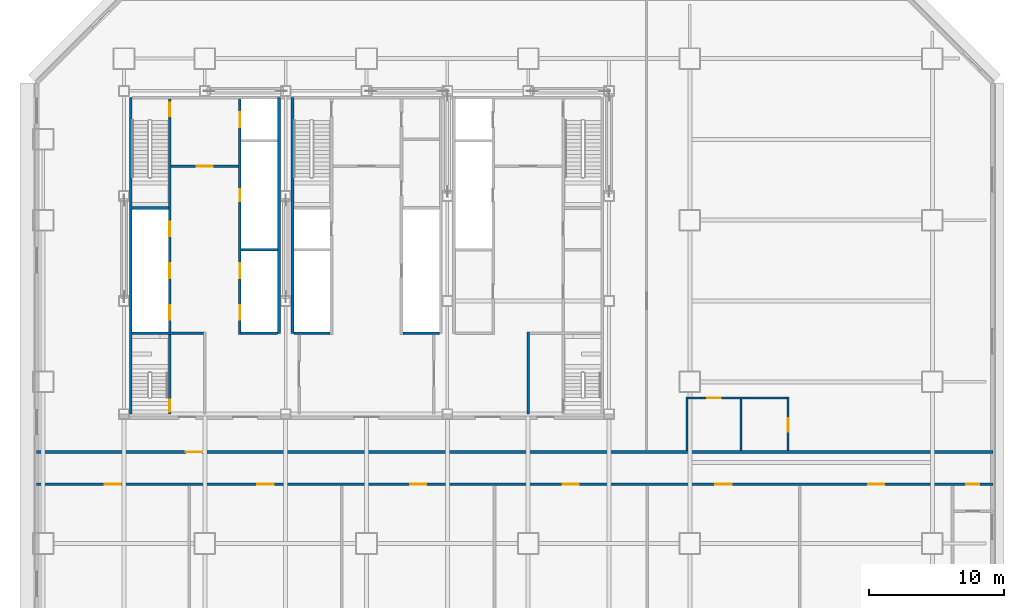
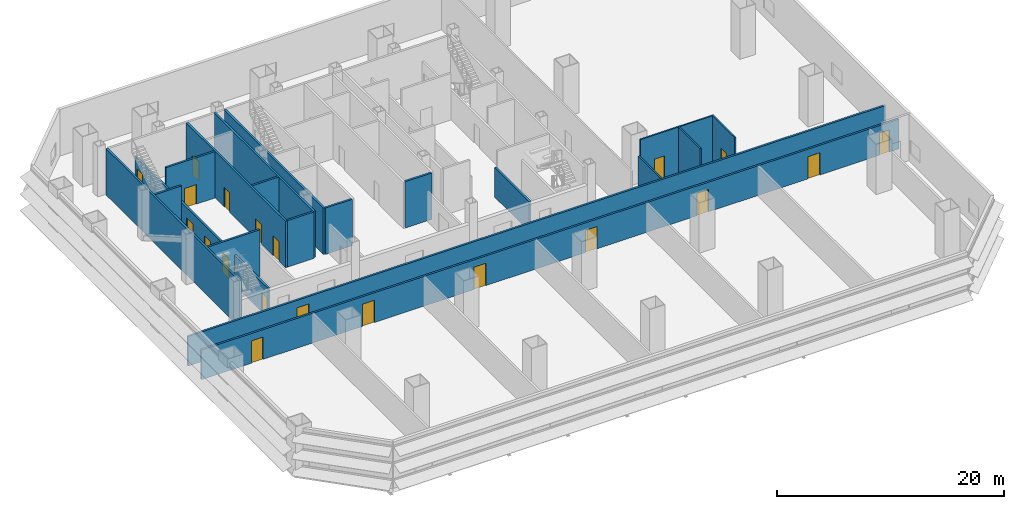
# One storey, part 4 of 10: 20 doors, 19 walls, 20 openings.
"""IFC4 building model written with IfcOpenShell, lengths in metres."""

from ifc_helpers import new_model, si_unit, direction, frame, frame_2d, origin, place, context, subcontext, project, spatial, rectangle, extrude, material, layer, layer_set, type_object, element, fill, save


model = new_model("IFC4")

# Units and contexts
model_context = context("Model", 3, precision=1e-05, world=origin(), true_north=direction((0.0, 1.0)))
body_context = subcontext(model_context, "Body", "Model", "MODEL_VIEW")
ifc_project = project(units=[si_unit("LENGTHUNIT", "METRE"), si_unit("AREAUNIT", "SQUARE_METRE"), si_unit("VOLUMEUNIT", "CUBIC_METRE"), si_unit("PLANEANGLEUNIT", "RADIAN"), si_unit("MASSUNIT", "GRAM", prefix="KILO")], contexts=[model_context])

# Site, building, storey
site_placement = place(None, origin())
site = spatial("IfcSite", under=ifc_project, at=site_placement, CompositionType="ELEMENT")
building_placement = place(site_placement, origin())
building = spatial("IfcBuilding", under=site, at=building_placement, Name="Sorahane Residences", CompositionType="ELEMENT")
storey_placement = place(building_placement, frame((0.0, 0.0, 15.0)))
storey = spatial("IfcBuildingStorey", under=building, at=storey_placement, Name="L01", CompositionType="ELEMENT", Elevation=15.0)

# Walls
ifc_material_1 = material(Name="Concrete C30", Category="concrete")
ifc_layer_1 = layer(ifc_material_1, 0.199951171875)
ifc_layer_set_1 = layer_set([ifc_layer_1], Name="Core face wall 200 EI 180")
wall_type_1 = type_object("IfcWallType", Name="Core face wall 200 EI 180", PredefinedType="SOLIDWALL", material=ifc_layer_set_1)
wall_1_placement = place(storey_placement, frame((6.5, 21.60009765625, 0.0), z_axis=(0.0, 0.0, 1.0), x_axis=(0.0, 1.0, 0.0)))
element("IfcWall", 1, at=wall_1_placement, inside=storey, type_object=wall_type_1, Name="L01 core face wall", PredefinedType="SOLIDWALL", context=body_context, shape_type="SweptSolid", body=[
    extrude(rectangle(XDim=23.5, YDim=0.199951171875, at=frame_2d((11.75, 0.0))), origin(), (0.0, 0.0, 1.0), 5.0),
])
for number, where, z_axis, x_axis, name in (
    (2, (17.5, 27.60009765625, 0.0), (0.0, 0.0, 1.0), (0.0, 1.0, 0.0), "L01 core face wall"),
    (3, (18.5, 27.60009765625, 0.0), (0.0, 0.0, 1.0), (0.0, 1.0, 0.0), "L01 core face wall"),
):
    element("IfcWall", number, at=place(storey_placement, frame(where, z_axis=z_axis, x_axis=x_axis)), inside=storey, type_object=wall_type_1, Name=name, PredefinedType="SOLIDWALL", context=body_context, shape_type="SweptSolid", body=[
        extrude(rectangle(XDim=17.5, YDim=0.199951171875, at=frame_2d((8.75, 0.0))), origin(), (0.0, 0.0, 1.0), 5.0),
    ])

# Wall, opening, door
ifc_material_2 = material(Name="Concrete blockwork C20 wall", Category="masonry")
ifc_layer_2 = layer(ifc_material_2, 0.199951171875)
ifc_layer_set_2 = layer_set([ifc_layer_2], Name="Corridor wall 200 EI 120")
wall_type_2 = type_object("IfcWallType", Name="Corridor wall 200 EI 120", PredefinedType="SOLIDWALL", material=ifc_layer_set_2)
wall_2_placement = place(storey_placement, frame((-0.5, 18.800048828125, 0.0), z_axis=(0.0, 0.0, 1.0), x_axis=(1.0, 0.0, 0.0)))
wall_2 = element("IfcWall", 4, at=wall_2_placement, inside=storey, type_object=wall_type_2, Name="L01 corridor wall", PredefinedType="SOLIDWALL", context=body_context, shape_type="SweptSolid", body=[
    extrude(rectangle(XDim=71.0, YDim=0.199951171875, at=frame_2d((35.5, 0.0))), origin(), (0.0, 0.0, 1.0), 3.199951171875),
])
opening_1_placement = place(wall_2_placement, frame((11.10009765625, 0.0, 0.0)))
opening_1 = element("IfcOpeningElement", 5, at=opening_1_placement, cuts=wall_2, Name="Opening L01-12", PredefinedType="OPENING", context=body_context, shape_type="SweptSolid", body=[
    extrude(rectangle(XDim=1.199951171875, YDim=2.39990234375, at=frame_2d((0.60009765625, 1.199951171875))), frame((0.0, 0.10986328125, 0.0), z_axis=(0.0, -1.0, 0.0), x_axis=(1.0, 0.0, 0.0)), (0.0, 0.0, 1.0), 0.219970703125),
])
ifc_material_3 = material(Name="Steel", Category="steel")
door_type_1 = type_object("IfcDoorType", Name="Lobby door 1200x2400 FD60", OperationType="NOTDEFINED", PredefinedType="DOOR", material=ifc_material_3)
door_1_placement = place(opening_1_placement, frame((1.199951171875, 0.0, 0.0), z_axis=(0.0, 0.0, 1.0), x_axis=(-1.0, 0.0, 0.0)))
door_1 = element("IfcDoor", 6, at=door_1_placement, inside=storey, type_object=door_type_1, Name="Lobby door L01-12", OperationType="SINGLE_SWING_LEFT", OverallHeight=2.39990234375, OverallWidth=1.199951171875, PredefinedType="DOOR", context=body_context, shape_type="SweptSolid", body=[
    extrude(rectangle(XDim=1.199951171875, YDim=2.39990234375, at=frame_2d((0.60009765625, 1.199951171875))), frame((0.0, 0.02490234375, 0.0), z_axis=(0.0, -1.0, 0.0), x_axis=(1.0, 0.0, 0.0)), (0.0, 0.0, 1.0), 0.050048828125),
])
fill(opening_1, door_1)

# Wall, openings, doors
ifc_material_4 = material(Name="Concrete blockwork C20 wall", Category="masonry")
ifc_layer_3 = layer(ifc_material_4, 0.199951171875)
ifc_layer_set_3 = layer_set([ifc_layer_3], Name="Fire wall 200 EI 120")
wall_type_3 = type_object("IfcWallType", Name="Fire wall 200 EI 120", PredefinedType="SOLIDWALL", material=ifc_layer_set_3)
wall_3_placement = place(storey_placement, frame((-0.5, 16.39990234375, 0.0), z_axis=(0.0, 0.0, 1.0), x_axis=(1.0, 0.0, 0.0)))
wall_3 = element("IfcWall", 7, at=wall_3_placement, inside=storey, type_object=wall_type_3, Name="L01 fire wall", PredefinedType="SOLIDWALL", context=body_context, shape_type="SweptSolid", body=[
    extrude(rectangle(XDim=71.0, YDim=0.199951171875, at=frame_2d((35.5, 0.0))), origin(), (0.0, 0.0, 1.0), 3.199951171875),
])
opening_2_placement = place(wall_3_placement, frame((5.066650390625, 0.0, 0.0)))
opening_2 = element("IfcOpeningElement", 8, at=opening_2_placement, cuts=wall_3, Name="Opening L01-04", PredefinedType="OPENING", context=body_context, shape_type="SweptSolid", body=[
    extrude(rectangle(XDim=1.199951171875, YDim=2.39990234375, at=frame_2d((0.60009765625, 1.199951171875))), frame((0.0, 0.10986328125, 0.0), z_axis=(0.0, -1.0, 0.0), x_axis=(1.0, 0.0, 0.0)), (0.0, 0.0, 1.0), 0.219970703125),
])
opening_3_placement = place(wall_3_placement, frame((16.39990234375, 0.0, 0.0)))
opening_3 = element("IfcOpeningElement", 9, at=opening_3_placement, cuts=wall_3, Name="Opening L01-05", PredefinedType="OPENING", context=body_context, shape_type="SweptSolid", body=[
    extrude(rectangle(XDim=1.199951171875, YDim=2.39990234375, at=frame_2d((0.60009765625, 1.199951171875))), frame((0.0, 0.10986328125, 0.0), z_axis=(0.0, -1.0, 0.0), x_axis=(1.0, 0.0, 0.0)), (0.0, 0.0, 1.0), 0.219970703125),
])
opening_4_placement = place(wall_3_placement, frame((27.7333984375, 0.0, 0.0)))
opening_4 = element("IfcOpeningElement", 10, at=opening_4_placement, cuts=wall_3, Name="Opening L01-06", PredefinedType="OPENING", context=body_context, shape_type="SweptSolid", body=[
    extrude(rectangle(XDim=1.199951171875, YDim=2.39990234375, at=frame_2d((0.60009765625, 1.199951171875))), frame((0.0, 0.10986328125, 0.0), z_axis=(0.0, -1.0, 0.0), x_axis=(1.0, 0.0, 0.0)), (0.0, 0.0, 1.0), 0.219970703125),
])
opening_5_placement = place(wall_3_placement, frame((39.066650390625, 0.0, 0.0)))
opening_5 = element("IfcOpeningElement", 11, at=opening_5_placement, cuts=wall_3, Name="Opening L01-07", PredefinedType="OPENING", context=body_context, shape_type="SweptSolid", body=[
    extrude(rectangle(XDim=1.199951171875, YDim=2.39990234375, at=frame_2d((0.60009765625, 1.199951171875))), frame((0.0, 0.10986328125, 0.0), z_axis=(0.0, -1.0, 0.0), x_axis=(1.0, 0.0, 0.0)), (0.0, 0.0, 1.0), 0.219970703125),
])
opening_6_placement = place(wall_3_placement, frame((50.39990234375, 0.0, 0.0)))
opening_6 = element("IfcOpeningElement", 12, at=opening_6_placement, cuts=wall_3, Name="Opening L01-08", PredefinedType="OPENING", context=body_context, shape_type="SweptSolid", body=[
    extrude(rectangle(XDim=1.199951171875, YDim=2.39990234375, at=frame_2d((0.60009765625, 1.199951171875))), frame((0.0, 0.10986328125, 0.0), z_axis=(0.0, -1.0, 0.0), x_axis=(1.0, 0.0, 0.0)), (0.0, 0.0, 1.0), 0.219970703125),
])
opening_7_placement = place(wall_3_placement, frame((61.7333984375, 0.0, 0.0)))
opening_7 = element("IfcOpeningElement", 13, at=opening_7_placement, cuts=wall_3, Name="Opening L01-09", PredefinedType="OPENING", context=body_context, shape_type="SweptSolid", body=[
    extrude(rectangle(XDim=1.199951171875, YDim=2.39990234375, at=frame_2d((0.60009765625, 1.199951171875))), frame((0.0, 0.10986328125, 0.0), z_axis=(0.0, -1.0, 0.0), x_axis=(1.0, 0.0, 0.0)), (0.0, 0.0, 1.0), 0.219970703125),
])
opening_8_placement = place(wall_3_placement, frame((69.0, 0.0, 0.0)))
opening_8 = element("IfcOpeningElement", 14, at=opening_8_placement, cuts=wall_3, Name="Opening L01-10", PredefinedType="OPENING", context=body_context, shape_type="SweptSolid", body=[
    extrude(rectangle(XDim=1.0, YDim=2.39990234375, at=frame_2d((0.5, 1.199951171875))), frame((0.0, 0.10986328125, 0.0), z_axis=(0.0, -1.0, 0.0), x_axis=(1.0, 0.0, 0.0)), (0.0, 0.0, 1.0), 0.219970703125),
])
ifc_material_5 = material(Name="Steel", Category="steel")
door_type_2 = type_object("IfcDoorType", Name="Fire door 1000x2400 FD60", OperationType="NOTDEFINED", PredefinedType="DOOR", material=ifc_material_5)
door_2_placement = place(opening_8_placement, origin())
door_2 = element("IfcDoor", 15, at=door_2_placement, inside=storey, type_object=door_type_2, Name="Fire door L01-10", OperationType="SINGLE_SWING_RIGHT", OverallHeight=2.39990234375, OverallWidth=1.0, PredefinedType="DOOR", context=body_context, shape_type="SweptSolid", body=[
    extrude(rectangle(XDim=1.0, YDim=2.39990234375, at=frame_2d((0.5, 1.199951171875))), frame((0.0, 0.02490234375, 0.0), z_axis=(0.0, -1.0, 0.0), x_axis=(1.0, 0.0, 0.0)), (0.0, 0.0, 1.0), 0.050048828125),
])
fill(opening_8, door_2)
ifc_material_6 = material(Name="Steel", Category="steel")
door_type_3 = type_object("IfcDoorType", Name="Plant door 1200x2400 FD60", OperationType="NOTDEFINED", PredefinedType="DOOR", material=ifc_material_6)
door_3_placement = place(opening_2_placement, frame((1.199951171875, 0.0, 0.0), z_axis=(0.0, 0.0, 1.0), x_axis=(-1.0, 0.0, 0.0)))
door_3 = element("IfcDoor", 16, at=door_3_placement, inside=storey, type_object=door_type_3, Name="Plant door L01-04", OperationType="SINGLE_SWING_LEFT", OverallHeight=2.39990234375, OverallWidth=1.199951171875, PredefinedType="DOOR", context=body_context, shape_type="SweptSolid", body=[
    extrude(rectangle(XDim=1.199951171875, YDim=2.39990234375, at=frame_2d((0.60009765625, 1.199951171875))), frame((0.0, 0.02490234375, 0.0), z_axis=(0.0, -1.0, 0.0), x_axis=(1.0, 0.0, 0.0)), (0.0, 0.0, 1.0), 0.050048828125),
])
fill(opening_2, door_3)
door_4_placement = place(opening_3_placement, origin())
door_4 = element("IfcDoor", 17, at=door_4_placement, inside=storey, type_object=door_type_3, Name="Plant door L01-05", OperationType="SINGLE_SWING_LEFT", OverallHeight=2.39990234375, OverallWidth=1.199951171875, PredefinedType="DOOR", context=body_context, shape_type="SweptSolid", body=[
    extrude(rectangle(XDim=1.199951171875, YDim=2.39990234375, at=frame_2d((0.60009765625, 1.199951171875))), frame((0.0, 0.02490234375, 0.0), z_axis=(0.0, -1.0, 0.0), x_axis=(1.0, 0.0, 0.0)), (0.0, 0.0, 1.0), 0.050048828125),
])
fill(opening_3, door_4)
door_5_placement = place(opening_4_placement, origin())
door_5 = element("IfcDoor", 18, at=door_5_placement, inside=storey, type_object=door_type_3, Name="Plant door L01-06", OperationType="SINGLE_SWING_RIGHT", OverallHeight=2.39990234375, OverallWidth=1.199951171875, PredefinedType="DOOR", context=body_context, shape_type="SweptSolid", body=[
    extrude(rectangle(XDim=1.199951171875, YDim=2.39990234375, at=frame_2d((0.60009765625, 1.199951171875))), frame((0.0, 0.02490234375, 0.0), z_axis=(0.0, -1.0, 0.0), x_axis=(1.0, 0.0, 0.0)), (0.0, 0.0, 1.0), 0.050048828125),
])
fill(opening_4, door_5)
door_6_placement = place(opening_5_placement, frame((1.199951171875, 0.0, 0.0), z_axis=(0.0, 0.0, 1.0), x_axis=(-1.0, 0.0, 0.0)))
door_6 = element("IfcDoor", 19, at=door_6_placement, inside=storey, type_object=door_type_3, Name="Plant door L01-07", OperationType="SINGLE_SWING_RIGHT", OverallHeight=2.39990234375, OverallWidth=1.199951171875, PredefinedType="DOOR", context=body_context, shape_type="SweptSolid", body=[
    extrude(rectangle(XDim=1.199951171875, YDim=2.39990234375, at=frame_2d((0.60009765625, 1.199951171875))), frame((0.0, 0.02490234375, 0.0), z_axis=(0.0, -1.0, 0.0), x_axis=(1.0, 0.0, 0.0)), (0.0, 0.0, 1.0), 0.050048828125),
])
fill(opening_5, door_6)
door_7_placement = place(opening_6_placement, frame((1.199951171875, 0.0, 0.0), z_axis=(0.0, 0.0, 1.0), x_axis=(-1.0, 0.0, 0.0)))
door_7 = element("IfcDoor", 20, at=door_7_placement, inside=storey, type_object=door_type_3, Name="Plant door L01-08", OperationType="SINGLE_SWING_LEFT", OverallHeight=2.39990234375, OverallWidth=1.199951171875, PredefinedType="DOOR", context=body_context, shape_type="SweptSolid", body=[
    extrude(rectangle(XDim=1.199951171875, YDim=2.39990234375, at=frame_2d((0.60009765625, 1.199951171875))), frame((0.0, 0.02490234375, 0.0), z_axis=(0.0, -1.0, 0.0), x_axis=(1.0, 0.0, 0.0)), (0.0, 0.0, 1.0), 0.050048828125),
])
fill(opening_6, door_7)
door_8_placement = place(opening_7_placement, origin())
door_8 = element("IfcDoor", 21, at=door_8_placement, inside=storey, type_object=door_type_3, Name="Plant door L01-09", OperationType="SINGLE_SWING_LEFT", OverallHeight=2.39990234375, OverallWidth=1.199951171875, PredefinedType="DOOR", context=body_context, shape_type="SweptSolid", body=[
    extrude(rectangle(XDim=1.199951171875, YDim=2.39990234375, at=frame_2d((0.60009765625, 1.199951171875))), frame((0.0, 0.02490234375, 0.0), z_axis=(0.0, -1.0, 0.0), x_axis=(1.0, 0.0, 0.0)), (0.0, 0.0, 1.0), 0.050048828125),
])
fill(opening_7, door_8)

# Wall
ifc_material_7 = material(Name="Concrete C30", Category="concrete")
ifc_layer_4 = layer(ifc_material_7, 0.199951171875)
ifc_layer_set_4 = layer_set([ifc_layer_4], Name="Front room wall 200 EI 120")
wall_type_4 = type_object("IfcWallType", Name="Front room wall 200 EI 120", PredefinedType="PARTITIONING", material=ifc_layer_set_4)
wall_4_placement = place(storey_placement, frame((36.0, 21.60009765625, 0.0), z_axis=(0.0, 0.0, 1.0), x_axis=(0.0, 1.0, 0.0)))
element("IfcWall", 22, at=wall_4_placement, inside=storey, type_object=wall_type_4, Name="L01 front room wall", PredefinedType="PARTITIONING", context=body_context, shape_type="SweptSolid", body=[
    extrude(rectangle(XDim=6.099853515625, YDim=0.199951171875, at=frame_2d((3.0498046875, 0.0))), origin(), (0.0, 0.0, 1.0), 3.199951171875),
])

# Wall, opening, door
wall_5_placement = place(storey_placement, frame((9.5, 40.0, 0.0), z_axis=(0.0, 0.0, 1.0), x_axis=(1.0, 0.0, 0.0)))
wall_5 = element("IfcWall", 23, at=wall_5_placement, inside=storey, type_object=wall_type_4, Name="L01 front room wall", PredefinedType="PARTITIONING", context=body_context, shape_type="SweptSolid", body=[
    extrude(rectangle(XDim=5.0, YDim=0.199951171875, at=frame_2d((2.5, 0.0))), origin(), (0.0, 0.0, 1.0), 5.0),
])
opening_9_placement = place(wall_5_placement, frame((1.89990234375, 0.0, 0.0)))
opening_9 = element("IfcOpeningElement", 24, at=opening_9_placement, cuts=wall_5, Name="Opening L01-C08", PredefinedType="OPENING", context=body_context, shape_type="SweptSolid", body=[
    extrude(rectangle(XDim=1.199951171875, YDim=2.10009765625, at=frame_2d((0.60009765625, 1.050048828125))), frame((0.0, 0.10986328125, 0.0), z_axis=(0.0, -1.0, 0.0), x_axis=(1.0, 0.0, 0.0)), (0.0, 0.0, 1.0), 0.219970703125),
])
ifc_material_8 = material(Name="Steel", Category="steel")
door_type_4 = type_object("IfcDoorType", Name="Front room door 1200x2100 FD120", OperationType="NOTDEFINED", PredefinedType="DOOR", material=ifc_material_8)
door_9_placement = place(opening_9_placement, frame((1.199951171875, 0.0, 0.0), z_axis=(0.0, 0.0, 1.0), x_axis=(-1.0, 0.0, 0.0)))
door_9 = element("IfcDoor", 25, at=door_9_placement, inside=storey, type_object=door_type_4, Name="Front room door Firefighting lobby FF1 front room L01", OperationType="DOUBLE_DOOR_SINGLE_SWING", OverallHeight=2.10009765625, OverallWidth=1.199951171875, PredefinedType="DOOR", context=body_context, shape_type="SweptSolid", body=[
    extrude(rectangle(XDim=1.199951171875, YDim=2.10009765625, at=frame_2d((0.60009765625, 1.050048828125))), frame((0.0, 0.02490234375, 0.0), z_axis=(0.0, -1.0, 0.0), x_axis=(1.0, 0.0, 0.0)), (0.0, 0.0, 1.0), 0.050048828125),
])
fill(opening_9, door_9)

# Wall, openings, doors
ifc_material_9 = material(Name="Concrete C30", Category="concrete")
ifc_layer_5 = layer(ifc_material_9, 0.199951171875)
ifc_layer_set_5 = layer_set([ifc_layer_5], Name="Lift shaft wall 200 EI 120")
wall_type_5 = type_object("IfcWallType", Name="Lift shaft wall 200 EI 120", PredefinedType="SOLIDWALL", material=ifc_layer_set_5)
wall_6_placement = place(storey_placement, frame((14.60009765625, 27.5, 0.0), z_axis=(0.0, 0.0, 1.0), x_axis=(0.0, 1.0, 0.0)))
wall_6 = element("IfcWall", 26, at=wall_6_placement, inside=storey, type_object=wall_type_5, Name="L01 lift shaft wall", PredefinedType="SOLIDWALL", context=body_context, shape_type="SweptSolid", body=[
    extrude(rectangle(XDim=17.5, YDim=0.199951171875, at=frame_2d((8.75, 0.0))), origin(), (0.0, 0.0, 1.0), 5.0),
])
opening_10_placement = place(wall_6_placement, frame((1.10009765625, 0.0, 0.0)))
opening_10 = element("IfcOpeningElement", 27, at=opening_10_placement, cuts=wall_6, Name="Opening L01-C12", PredefinedType="OPENING", context=body_context, shape_type="SweptSolid", body=[
    extrude(rectangle(XDim=1.10009765625, YDim=2.10009765625, at=frame_2d((0.550048828125, 1.050048828125))), frame((0.0, 0.10986328125, 0.0), z_axis=(0.0, -1.0, 0.0), x_axis=(1.0, 0.0, 0.0)), (0.0, 0.0, 1.0), 0.219970703125),
])
opening_11_placement = place(wall_6_placement, frame((4.199951171875, 0.0, 0.0)))
opening_11 = element("IfcOpeningElement", 28, at=opening_11_placement, cuts=wall_6, Name="Opening L01-C13", PredefinedType="OPENING", context=body_context, shape_type="SweptSolid", body=[
    extrude(rectangle(XDim=1.10009765625, YDim=2.10009765625, at=frame_2d((0.550048828125, 1.050048828125))), frame((0.0, 0.10986328125, 0.0), z_axis=(0.0, -1.0, 0.0), x_axis=(1.0, 0.0, 0.0)), (0.0, 0.0, 1.0), 0.219970703125),
])
opening_12_placement = place(wall_6_placement, frame((15.39990234375, 0.0, 0.0)))
opening_12 = element("IfcOpeningElement", 29, at=opening_12_placement, cuts=wall_6, Name="Opening L01-C14", PredefinedType="OPENING", context=body_context, shape_type="SweptSolid", body=[
    extrude(rectangle(XDim=1.10009765625, YDim=2.10009765625, at=frame_2d((0.550048828125, 1.050048828125))), frame((0.0, 0.10986328125, 0.0), z_axis=(0.0, -1.0, 0.0), x_axis=(1.0, 0.0, 0.0)), (0.0, 0.0, 1.0), 0.219970703125),
])
opening_13_placement = place(wall_6_placement, frame((9.89990234375, 0.0, 0.0)))
opening_13 = element("IfcOpeningElement", 30, at=opening_13_placement, cuts=wall_6, Name="Opening L01-C26", PredefinedType="OPENING", context=body_context, shape_type="SweptSolid", body=[
    extrude(rectangle(XDim=0.89990234375, YDim=2.10009765625, at=frame_2d((0.449951171875, 1.050048828125))), frame((0.0, 0.10986328125, 0.0), z_axis=(0.0, -1.0, 0.0), x_axis=(1.0, 0.0, 0.0)), (0.0, 0.0, 1.0), 0.219970703125),
])
ifc_material_10 = material(Name="Aluminium and stainless steel", Category="steel")
door_type_5 = type_object("IfcDoorType", Name="Lift landing door 1100x2100 E 60", OperationType="NOTDEFINED", PredefinedType="DOOR", material=ifc_material_10)
door_10_placement = place(opening_10_placement, origin())
door_10 = element("IfcDoor", 31, at=door_10_placement, inside=storey, type_object=door_type_5, Name="Lift landing door LR4 L01", OperationType="DOUBLE_DOOR_SLIDING", OverallHeight=2.10009765625, OverallWidth=1.10009765625, PredefinedType="DOOR", context=body_context, shape_type="SweptSolid", body=[
    extrude(rectangle(XDim=1.10009765625, YDim=2.10009765625, at=frame_2d((0.550048828125, 1.050048828125))), frame((0.0, 0.02490234375, 0.0), z_axis=(0.0, -1.0, 0.0), x_axis=(1.0, 0.0, 0.0)), (0.0, 0.0, 1.0), 0.050048828125),
])
fill(opening_10, door_10)
door_11_placement = place(opening_11_placement, origin())
door_11 = element("IfcDoor", 32, at=door_11_placement, inside=storey, type_object=door_type_5, Name="Lift landing door LR5 L01", OperationType="DOUBLE_DOOR_SLIDING", OverallHeight=2.10009765625, OverallWidth=1.10009765625, PredefinedType="DOOR", context=body_context, shape_type="SweptSolid", body=[
    extrude(rectangle(XDim=1.10009765625, YDim=2.10009765625, at=frame_2d((0.550048828125, 1.050048828125))), frame((0.0, 0.02490234375, 0.0), z_axis=(0.0, -1.0, 0.0), x_axis=(1.0, 0.0, 0.0)), (0.0, 0.0, 1.0), 0.050048828125),
])
fill(opening_11, door_11)
door_12_placement = place(opening_12_placement, origin())
door_12 = element("IfcDoor", 33, at=door_12_placement, inside=storey, type_object=door_type_5, Name="Lift landing door FF1 L01", OperationType="DOUBLE_DOOR_SLIDING", OverallHeight=2.10009765625, OverallWidth=1.10009765625, PredefinedType="DOOR", context=body_context, shape_type="SweptSolid", body=[
    extrude(rectangle(XDim=1.10009765625, YDim=2.10009765625, at=frame_2d((0.550048828125, 1.050048828125))), frame((0.0, 0.02490234375, 0.0), z_axis=(0.0, -1.0, 0.0), x_axis=(1.0, 0.0, 0.0)), (0.0, 0.0, 1.0), 0.050048828125),
])
fill(opening_12, door_12)
ifc_material_11 = material(Name="Steel", Category="steel")
door_type_6 = type_object("IfcDoorType", Name="Riser door 900x2100 FD120", OperationType="NOTDEFINED", PredefinedType="DOOR", material=ifc_material_11)
door_13_placement = place(opening_13_placement, origin())
door_13 = element("IfcDoor", 34, at=door_13_placement, inside=storey, type_object=door_type_6, Name="Riser door R1 L01", OperationType="SINGLE_SWING_LEFT", OverallHeight=2.10009765625, OverallWidth=0.89990234375, PredefinedType="DOOR", context=body_context, shape_type="SweptSolid", body=[
    extrude(rectangle(XDim=0.89990234375, YDim=2.10009765625, at=frame_2d((0.449951171875, 1.050048828125))), frame((0.0, 0.02490234375, 0.0), z_axis=(0.0, -1.0, 0.0), x_axis=(1.0, 0.0, 0.0)), (0.0, 0.0, 1.0), 0.050048828125),
])
fill(opening_13, door_13)

# Walls
for number, where, z_axis, x_axis, name in (
    (35, (14.699951171875, 27.60009765625, 0.0), (0.0, 0.0, 1.0), (1.0, 0.0, 0.0), "L01 lift shaft wall"),
    (36, (18.60009765625, 27.60009765625, 0.0), (0.0, 0.0, 1.0), (1.0, 0.0, 0.0), "L01 lift shaft wall"),
    (37, (14.699951171875, 33.800048828125, 0.0), (0.0, 0.0, 1.0), (1.0, 0.0, 0.0), "L01 lift shaft wall"),
):
    element("IfcWall", number, at=place(storey_placement, frame(where, z_axis=z_axis, x_axis=x_axis)), inside=storey, type_object=wall_type_5, Name=name, PredefinedType="SOLIDWALL", context=body_context, shape_type="SweptSolid", body=[
        extrude(rectangle(XDim=2.699951171875, YDim=0.199951171875, at=frame_2d((1.35009765625, 0.0))), origin(), (0.0, 0.0, 1.0), 5.0),
    ])
ifc_material_12 = material(Name="Gypsum board partition on steel studs", Category="steel")
ifc_layer_6 = layer(ifc_material_12, 0.14990234375)
ifc_layer_set_6 = layer_set([ifc_layer_6], Name="Partition 150 EI 90")
wall_type_6 = type_object("IfcWallType", Name="Partition 150 EI 90", PredefinedType="PARTITIONING", material=ifc_layer_set_6)
wall_7_placement = place(storey_placement, frame((47.800048828125, 18.89990234375, 0.0), z_axis=(0.0, 0.0, 1.0), x_axis=(0.0, 1.0, 0.0)))
element("IfcWall", 38, at=wall_7_placement, inside=storey, type_object=wall_type_6, Name="L01 partition", PredefinedType="PARTITIONING", context=body_context, shape_type="SweptSolid", body=[
    extrude(rectangle(XDim=3.97509765625, YDim=0.14990234375, at=frame_2d((1.987548828125, 0.0))), origin(), (0.0, 0.0, 1.0), 3.199951171875),
])

# Wall, opening, door
wall_8_placement = place(storey_placement, frame((55.300048828125, 18.89990234375, 0.0), z_axis=(0.0, 0.0, 1.0), x_axis=(0.0, 1.0, 0.0)))
wall_8 = element("IfcWall", 39, at=wall_8_placement, inside=storey, type_object=wall_type_6, Name="L01 partition", PredefinedType="PARTITIONING", context=body_context, shape_type="SweptSolid", body=[
    extrude(rectangle(XDim=3.97509765625, YDim=0.14990234375, at=frame_2d((1.987548828125, 0.0))), origin(), (0.0, 0.0, 1.0), 5.0),
])
opening_14_placement = place(wall_8_placement, frame((1.39990234375, 0.0, 0.0)))
opening_14 = element("IfcOpeningElement", 40, at=opening_14_placement, cuts=wall_8, Name="Opening L01-02", PredefinedType="OPENING", context=body_context, shape_type="SweptSolid", body=[
    extrude(rectangle(XDim=1.0, YDim=2.39990234375, at=frame_2d((0.5, 1.199951171875))), frame((0.0, 0.0849609375, 0.0), z_axis=(0.0, -1.0, 0.0), x_axis=(1.0, 0.0, 0.0)), (0.0, 0.0, 1.0), 0.169921875),
])
ifc_material_13 = material(Name="Timber veneered fire door", Category="wood")
door_type_7 = type_object("IfcDoorType", Name="Room door 1000x2400 FD30", OperationType="NOTDEFINED", PredefinedType="DOOR", material=ifc_material_13)
door_14_placement = place(opening_14_placement, origin())
door_14 = element("IfcDoor", 41, at=door_14_placement, inside=storey, type_object=door_type_7, Name="Room door L01-02", OperationType="SINGLE_SWING_RIGHT", OverallHeight=2.39990234375, OverallWidth=1.0, PredefinedType="DOOR", context=body_context, shape_type="SweptSolid", body=[
    extrude(rectangle(XDim=1.0, YDim=2.39990234375, at=frame_2d((0.5, 1.199951171875))), frame((0.0, 0.02490234375, 0.0), z_axis=(0.0, -1.0, 0.0), x_axis=(1.0, 0.0, 0.0)), (0.0, 0.0, 1.0), 0.050048828125),
])
fill(opening_14, door_14)

wall_9_placement = place(storey_placement, frame((47.875, 22.800048828125, 0.0), z_axis=(0.0, 0.0, 1.0), x_axis=(1.0, 0.0, 0.0)))
wall_9 = element("IfcWall", 42, at=wall_9_placement, inside=storey, type_object=wall_type_6, Name="L01 partition", PredefinedType="PARTITIONING", context=body_context, shape_type="SweptSolid", body=[
    extrude(rectangle(XDim=7.35009765625, YDim=0.14990234375, at=frame_2d((3.675048828125, 0.0))), origin(), (0.0, 0.0, 1.0), 5.0),
])
opening_15_placement = place(wall_9_placement, frame((1.425048828125, 0.0, 0.0)))
opening_15 = element("IfcOpeningElement", 43, at=opening_15_placement, cuts=wall_9, Name="Opening L01-01", PredefinedType="OPENING", context=body_context, shape_type="SweptSolid", body=[
    extrude(rectangle(XDim=1.0, YDim=2.39990234375, at=frame_2d((0.5, 1.199951171875))), frame((0.0, 0.0849609375, 0.0), z_axis=(0.0, -1.0, 0.0), x_axis=(1.0, 0.0, 0.0)), (0.0, 0.0, 1.0), 0.169921875),
])
door_15_placement = place(opening_15_placement, origin())
door_15 = element("IfcDoor", 44, at=door_15_placement, inside=storey, type_object=door_type_7, Name="Room door L01-01", OperationType="SINGLE_SWING_LEFT", OverallHeight=2.39990234375, OverallWidth=1.0, PredefinedType="DOOR", context=body_context, shape_type="SweptSolid", body=[
    extrude(rectangle(XDim=1.0, YDim=2.39990234375, at=frame_2d((0.5, 1.199951171875))), frame((0.0, 0.02490234375, 0.0), z_axis=(0.0, -1.0, 0.0), x_axis=(1.0, 0.0, 0.0)), (0.0, 0.0, 1.0), 0.050048828125),
])
fill(opening_15, door_15)

# Wall
ifc_material_14 = material(Name="Concrete C30", Category="concrete")
ifc_layer_7 = layer(ifc_material_14, 0.199951171875)
ifc_layer_set_7 = layer_set([ifc_layer_7], Name="Riser shaft wall 200 EI 120")
wall_type_7 = type_object("IfcWallType", Name="Riser shaft wall 200 EI 120", PredefinedType="SOLIDWALL", material=ifc_layer_set_7)
wall_10_placement = place(storey_placement, frame((26.699951171875, 27.60009765625, 0.0), z_axis=(0.0, 0.0, 1.0), x_axis=(1.0, 0.0, 0.0)))
element("IfcWall", 45, at=wall_10_placement, inside=storey, type_object=wall_type_7, Name="L01 riser wall", PredefinedType="SOLIDWALL", context=body_context, shape_type="SweptSolid", body=[
    extrude(rectangle(XDim=2.699951171875, YDim=0.199951171875, at=frame_2d((1.35009765625, 0.0))), origin(), (0.0, 0.0, 1.0), 5.0),
])

# Wall, openings, doors
ifc_material_15 = material(Name="Concrete C30", Category="concrete")
ifc_layer_8 = layer(ifc_material_15, 0.199951171875)
ifc_layer_set_8 = layer_set([ifc_layer_8], Name="Stair enclosure wall 200 EI 120")
wall_type_8 = type_object("IfcWallType", Name="Stair enclosure wall 200 EI 120", PredefinedType="SOLIDWALL", material=ifc_layer_set_8)
wall_11_placement = place(storey_placement, frame((9.39990234375, 21.60009765625, 0.0), z_axis=(0.0, 0.0, 1.0), x_axis=(0.0, 1.0, 0.0)))
wall_11 = element("IfcWall", 46, at=wall_11_placement, inside=storey, type_object=wall_type_8, Name="L01 stair enclosure wall", PredefinedType="SOLIDWALL", context=body_context, shape_type="SweptSolid", body=[
    extrude(rectangle(XDim=23.39990234375, YDim=0.199951171875, at=frame_2d((11.699951171875, 0.0))), origin(), (0.0, 0.0, 1.0), 3.199951171875),
])
opening_16_placement = place(wall_11_placement, frame((7.0, 0.0, 0.0)))
opening_16 = element("IfcOpeningElement", 47, at=opening_16_placement, cuts=wall_11, Name="Opening L01-C15", PredefinedType="OPENING", context=body_context, shape_type="SweptSolid", body=[
    extrude(rectangle(XDim=1.10009765625, YDim=2.10009765625, at=frame_2d((0.550048828125, 1.050048828125))), frame((0.0, 0.10986328125, 0.0), z_axis=(0.0, -1.0, 0.0), x_axis=(1.0, 0.0, 0.0)), (0.0, 0.0, 1.0), 0.219970703125),
])
opening_17_placement = place(wall_11_placement, frame((10.10009765625, 0.0, 0.0)))
opening_17 = element("IfcOpeningElement", 48, at=opening_17_placement, cuts=wall_11, Name="Opening L01-C16", PredefinedType="OPENING", context=body_context, shape_type="SweptSolid", body=[
    extrude(rectangle(XDim=1.10009765625, YDim=2.10009765625, at=frame_2d((0.550048828125, 1.050048828125))), frame((0.0, 0.10986328125, 0.0), z_axis=(0.0, -1.0, 0.0), x_axis=(1.0, 0.0, 0.0)), (0.0, 0.0, 1.0), 0.219970703125),
])
opening_18_placement = place(wall_11_placement, frame((13.199951171875, 0.0, 0.0)))
opening_18 = element("IfcOpeningElement", 49, at=opening_18_placement, cuts=wall_11, Name="Opening L01-C17", PredefinedType="OPENING", context=body_context, shape_type="SweptSolid", body=[
    extrude(rectangle(XDim=1.10009765625, YDim=2.10009765625, at=frame_2d((0.550048828125, 1.050048828125))), frame((0.0, 0.10986328125, 0.0), z_axis=(0.0, -1.0, 0.0), x_axis=(1.0, 0.0, 0.0)), (0.0, 0.0, 1.0), 0.219970703125),
])
opening_19_placement = place(wall_11_placement, frame((22.10009765625, 0.0, 0.0)))
opening_19 = element("IfcOpeningElement", 50, at=opening_19_placement, cuts=wall_11, Name="Opening L01-C21", PredefinedType="OPENING", context=body_context, shape_type="SweptSolid", body=[
    extrude(rectangle(XDim=1.0, YDim=2.10009765625, at=frame_2d((0.5, 1.050048828125))), frame((0.0, 0.10986328125, 0.0), z_axis=(0.0, -1.0, 0.0), x_axis=(1.0, 0.0, 0.0)), (0.0, 0.0, 1.0), 0.219970703125),
])
opening_20_placement = place(wall_11_placement, frame((0.175048828125, 0.0, 0.0)))
opening_20 = element("IfcOpeningElement", 51, at=opening_20_placement, cuts=wall_11, Name="Opening L01-C24", PredefinedType="OPENING", context=body_context, shape_type="SweptSolid", body=[
    extrude(rectangle(XDim=0.89990234375, YDim=2.10009765625, at=frame_2d((0.449951171875, 1.050048828125))), frame((0.0, 0.10986328125, 0.0), z_axis=(0.0, -1.0, 0.0), x_axis=(1.0, 0.0, 0.0)), (0.0, 0.0, 1.0), 0.219970703125),
])
door_16_placement = place(opening_16_placement, origin())
door_16 = element("IfcDoor", 52, at=door_16_placement, inside=storey, type_object=door_type_5, Name="Lift landing door LR1 L01", OperationType="DOUBLE_DOOR_SLIDING", OverallHeight=2.10009765625, OverallWidth=1.10009765625, PredefinedType="DOOR", context=body_context, shape_type="SweptSolid", body=[
    extrude(rectangle(XDim=1.10009765625, YDim=2.10009765625, at=frame_2d((0.550048828125, 1.050048828125))), frame((0.0, 0.02490234375, 0.0), z_axis=(0.0, -1.0, 0.0), x_axis=(1.0, 0.0, 0.0)), (0.0, 0.0, 1.0), 0.050048828125),
])
fill(opening_16, door_16)
door_17_placement = place(opening_17_placement, origin())
door_17 = element("IfcDoor", 53, at=door_17_placement, inside=storey, type_object=door_type_5, Name="Lift landing door LR2 L01", OperationType="DOUBLE_DOOR_SLIDING", OverallHeight=2.10009765625, OverallWidth=1.10009765625, PredefinedType="DOOR", context=body_context, shape_type="SweptSolid", body=[
    extrude(rectangle(XDim=1.10009765625, YDim=2.10009765625, at=frame_2d((0.550048828125, 1.050048828125))), frame((0.0, 0.02490234375, 0.0), z_axis=(0.0, -1.0, 0.0), x_axis=(1.0, 0.0, 0.0)), (0.0, 0.0, 1.0), 0.050048828125),
])
fill(opening_17, door_17)
door_18_placement = place(opening_18_placement, origin())
door_18 = element("IfcDoor", 54, at=door_18_placement, inside=storey, type_object=door_type_5, Name="Lift landing door LR3 L01", OperationType="DOUBLE_DOOR_SLIDING", OverallHeight=2.10009765625, OverallWidth=1.10009765625, PredefinedType="DOOR", context=body_context, shape_type="SweptSolid", body=[
    extrude(rectangle(XDim=1.10009765625, YDim=2.10009765625, at=frame_2d((0.550048828125, 1.050048828125))), frame((0.0, 0.02490234375, 0.0), z_axis=(0.0, -1.0, 0.0), x_axis=(1.0, 0.0, 0.0)), (0.0, 0.0, 1.0), 0.050048828125),
])
fill(opening_18, door_18)
ifc_material_16 = material(Name="Steel", Category="steel")
door_type_8 = type_object("IfcDoorType", Name="Stair door 1000x2100 FD120", OperationType="NOTDEFINED", PredefinedType="DOOR", material=ifc_material_16)
door_19_placement = place(opening_19_placement, origin())
door_19 = element("IfcDoor", 55, at=door_19_placement, inside=storey, type_object=door_type_8, Name="Stair door S1 L01", OperationType="SINGLE_SWING_LEFT", OverallHeight=2.10009765625, OverallWidth=1.0, PredefinedType="DOOR", context=body_context, shape_type="SweptSolid", body=[
    extrude(rectangle(XDim=1.0, YDim=2.10009765625, at=frame_2d((0.5, 1.050048828125))), frame((0.0, 0.02490234375, 0.0), z_axis=(0.0, -1.0, 0.0), x_axis=(1.0, 0.0, 0.0)), (0.0, 0.0, 1.0), 0.050048828125),
])
fill(opening_19, door_19)
ifc_material_17 = material(Name="Steel", Category="steel")
door_type_9 = type_object("IfcDoorType", Name="Stair door 900x2100 FD120", OperationType="NOTDEFINED", PredefinedType="DOOR", material=ifc_material_17)
door_20_placement = place(opening_20_placement, origin())
door_20 = element("IfcDoor", 56, at=door_20_placement, inside=storey, type_object=door_type_9, Name="Stair door S4 L01", OperationType="SINGLE_SWING_LEFT", OverallHeight=2.10009765625, OverallWidth=0.89990234375, PredefinedType="DOOR", context=body_context, shape_type="SweptSolid", body=[
    extrude(rectangle(XDim=0.89990234375, YDim=2.10009765625, at=frame_2d((0.449951171875, 1.050048828125))), frame((0.0, 0.02490234375, 0.0), z_axis=(0.0, -1.0, 0.0), x_axis=(1.0, 0.0, 0.0)), (0.0, 0.0, 1.0), 0.050048828125),
])
fill(opening_20, door_20)

# Walls
wall_12_placement = place(storey_placement, frame((6.60009765625, 27.60009765625, 0.0), z_axis=(0.0, 0.0, 1.0), x_axis=(1.0, 0.0, 0.0)))
element("IfcWall", 57, at=wall_12_placement, inside=storey, type_object=wall_type_8, Name="L01 stair enclosure wall", PredefinedType="SOLIDWALL", context=body_context, shape_type="SweptSolid", body=[
    extrude(rectangle(XDim=5.2998046875, YDim=0.199951171875, at=frame_2d((2.64990234375, 0.0))), origin(), (0.0, 0.0, 1.0), 5.0),
])
wall_13_placement = place(storey_placement, frame((6.60009765625, 36.89990234375, 0.0), z_axis=(0.0, 0.0, 1.0), x_axis=(1.0, 0.0, 0.0)))
element("IfcWall", 58, at=wall_13_placement, inside=storey, type_object=wall_type_8, Name="L01 stair enclosure wall", PredefinedType="SOLIDWALL", context=body_context, shape_type="SweptSolid", body=[
    extrude(rectangle(XDim=2.699951171875, YDim=0.199951171875, at=frame_2d((1.35009765625, 0.0))), origin(), (0.0, 0.0, 1.0), 5.0),
])
ifc_material_18 = material(Name="Gypsum board partition on steel studs", Category="steel")
ifc_layer_9 = layer(ifc_material_18, 0.14990234375)
ifc_layer_set_9 = layer_set([ifc_layer_9], Name="Wet wall 150 EI 90")
wall_type_9 = type_object("IfcWallType", Name="Wet wall 150 EI 90", PredefinedType="PARTITIONING", material=ifc_layer_set_9)
wall_14_placement = place(storey_placement, frame((51.800048828125, 18.89990234375, 0.0), z_axis=(0.0, 0.0, 1.0), x_axis=(0.0, 1.0, 0.0)))
element("IfcWall", 59, at=wall_14_placement, inside=storey, type_object=wall_type_9, Name="L01 wet wall", PredefinedType="PARTITIONING", context=body_context, shape_type="SweptSolid", body=[
    extrude(rectangle(XDim=3.8251953125, YDim=0.14990234375, at=frame_2d((1.91259765625, 0.0))), origin(), (0.0, 0.0, 1.0), 5.0),
])

save(model, "model.ifc")
